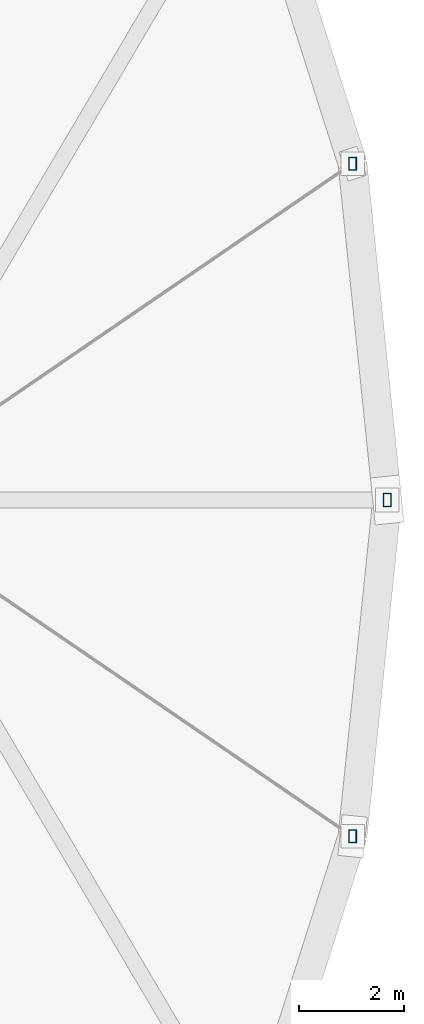
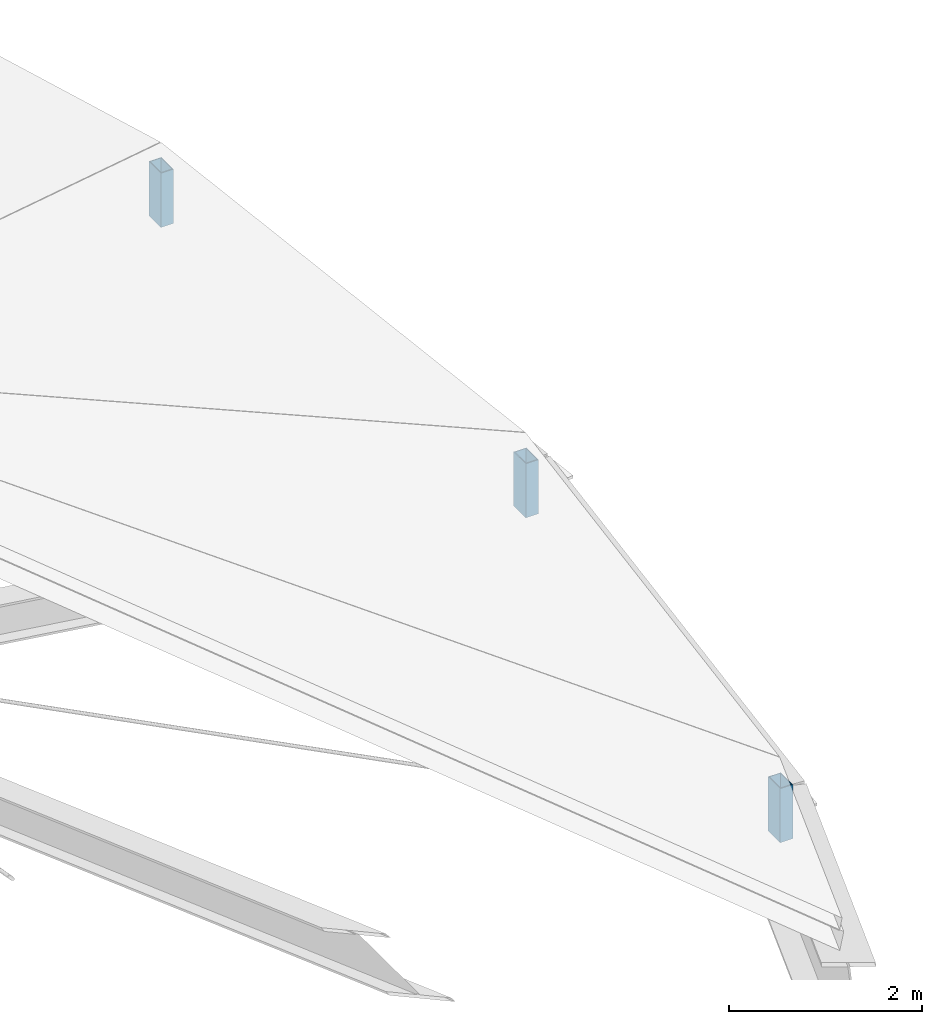
# One storey, part 52 of 68: 3 members.
"""IFC4 building model written with IfcOpenShell, lengths in metres."""

from ifc_helpers import new_model, si_unit, direction, frame, origin, origin_2d, place, context, subcontext, project, spatial, hollow_rectangle, extrude, material, material_profile, profile_set, type_object, element, save


model = new_model("IFC4")

# Units and contexts
model_context = context("Model", 3, precision=1e-05, world=origin(), true_north=direction((0.0, 1.0)))
body_context = subcontext(model_context, "Body", "Model", "MODEL_VIEW")
ifc_project = project(units=[si_unit("LENGTHUNIT", "METRE"), si_unit("AREAUNIT", "SQUARE_METRE"), si_unit("VOLUMEUNIT", "CUBIC_METRE"), si_unit("PLANEANGLEUNIT", "RADIAN"), si_unit("MASSUNIT", "GRAM", prefix="KILO")], contexts=[model_context])

# Site, building, storey
site_placement = place(None, origin())
site = spatial("IfcSite", under=ifc_project, at=site_placement, CompositionType="ELEMENT")
building_placement = place(site_placement, origin())
building = spatial("IfcBuilding", under=site, at=building_placement, Name="Sohan Crest Arena", CompositionType="ELEMENT")
storey_placement = place(building_placement, frame((0.0, 0.0, 27.0)))
storey = spatial("IfcBuildingStorey", under=building, at=storey_placement, Name="RF", CompositionType="ELEMENT", Elevation=27.0)

# Members
ifc_material = material(Name="Steel S355", Category="steel")
ifc_material_profile = material_profile(ifc_material, hollow_rectangle(XDim=0.14990234375, YDim=0.25, WallThickness=0.010009765625, at=origin_2d()), Name="RHS 250x150x10")
ifc_profile_set = profile_set([ifc_material_profile], Name="Steel S355")
member_type = type_object("IfcMemberType", Name="STR-MEM-CH02", PredefinedType="CHORD", material=ifc_profile_set)
for number, where, z_axis, x_axis, name in (
    (1, (177.363037109375, 71.593017578125, -3.756103515625), (0.0, 0.0, 1.0), (1.0, 0.0, 0.0), "Ring beam roof bearing saddle chord RSR-23"),
    (2, (178.02294921875, 78.0, -3.77001953125), (0.0, 0.0, 1.0), (1.0, 0.0, 0.0), "Ring beam roof bearing saddle chord RSR-24"),
    (3, (177.363037109375, 84.406982421875, -3.756103515625), (0.0, 0.0, 1.0), (1.0, 0.0, 0.0), "Ring beam roof bearing saddle chord RSR-25"),
):
    element("IfcMember", number, at=place(storey_placement, frame(where, z_axis=z_axis, x_axis=x_axis)), inside=storey, type_object=member_type, Name=name, PredefinedType="CHORD", context=body_context, shape_type="SweptSolid", body=[
        extrude(hollow_rectangle(XDim=0.14990234375, YDim=0.25, WallThickness=0.010009765625, at=origin_2d()), origin(), (0.0, 0.0, 1.0), 0.68505859375),
    ])

save(model, "model.ifc")
